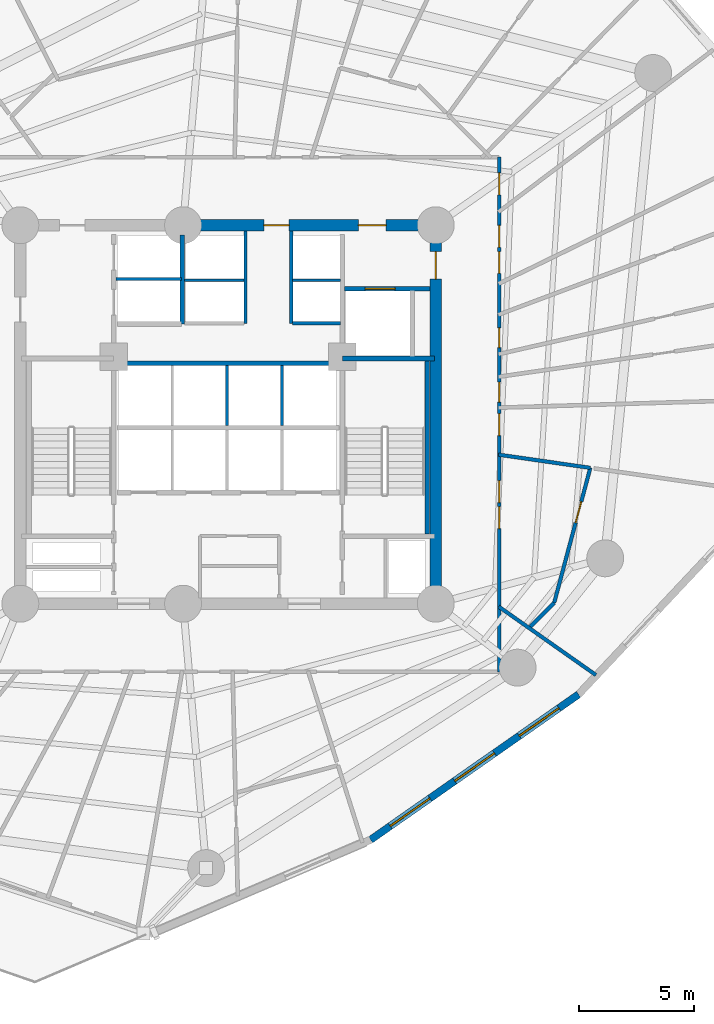
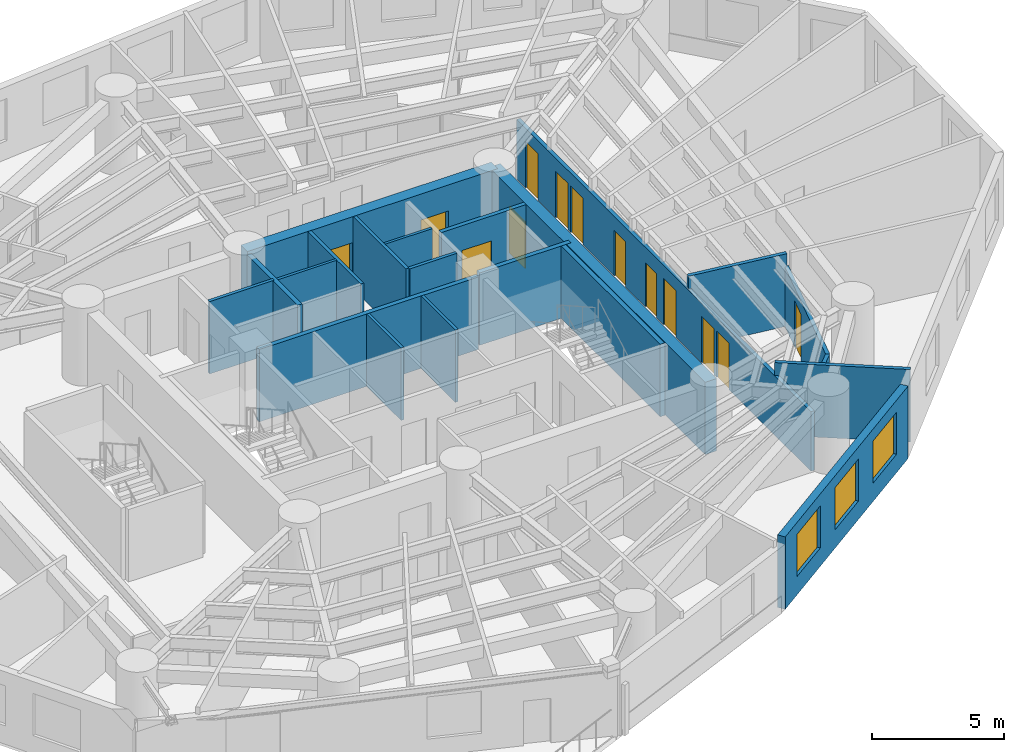
# One storey, part 5 of 11: 21 walls, 13 doors, 3 windows, 16 openings.
"""IFC4 building model written with IfcOpenShell, lengths in metres."""

import ifcopenshell
import ifcopenshell.guid

model = None  # the IFC model being written
_history = None  # IfcOwnerHistory: only IFC2X3 demands one
_inside = {}  # id of a spatial element -> (the spatial element, [elements in it])
_under = {}  # id of a project, library or spatial element -> (it, [spatial elements below it])
_declared = {}  # id of a project -> (the project, [libraries it declares])
_typed = {}  # id of a type object -> (the type object, [elements of that type])
_made_of = {}  # id of a material, layer set ... -> (it, [elements and type objects made of it])


def new_model(schema):
    """Start an empty IFC model of exactly this schema.

    Asked for "IFC4X3", IfcOpenShell would pick the latest addendum, in which some entities
    have other attributes; the version numbers below select the first issue.
    IFC2X3 requires an IfcOwnerHistory on every rooted entity: one is made here for all.
    """
    global model, _history
    if schema == "IFC4X3":
        model = ifcopenshell.file(schema_version=(4, 3, 0, 0))
    else:
        model = ifcopenshell.file(schema=schema)
    _inside.clear()
    _under.clear()
    _declared.clear()
    _typed.clear()
    _made_of.clear()
    _history = None
    if model.schema == "IFC2X3":
        org = make("IfcOrganization", Name="unknown")
        user = make(
            "IfcPersonAndOrganization",
            ThePerson=make("IfcPerson", FamilyName="unknown"),
            TheOrganization=org,
        )
        app = make(
            "IfcApplication",
            ApplicationDeveloper=org,
            Version="unknown",
            ApplicationFullName="unknown",
            ApplicationIdentifier="unknown",
        )
        _history = make(
            "IfcOwnerHistory",
            OwningUser=user,
            OwningApplication=app,
            ChangeAction="ADDED",
            CreationDate=0,
        )
    return model


def make(cls, **values):
    """One entity of the class cls with the attributes given. An attribute that is None is left unset."""
    return model.create_entity(
        cls, **{name: value for name, value in values.items() if value is not None}
    )


def rooted(cls, **values):
    """An entity with a GlobalId (a new one), such as an element, a storey or a relation."""
    return make(cls, GlobalId=ifcopenshell.guid.new(), OwnerHistory=_history, **values)


def si_unit(unit_type, name, prefix=None):
    """IfcSIUnit, for example si_unit("LENGTHUNIT", "METRE", prefix="MILLI")."""
    return make("IfcSIUnit", UnitType=unit_type, Prefix=prefix, Name=name)


def assignment(units):
    """IfcUnitAssignment: the units of a project."""
    return None if units is None else make("IfcUnitAssignment", Units=units)


def point(xyz):
    """IfcCartesianPoint."""
    return None if xyz is None else make("IfcCartesianPoint", Coordinates=xyz)


def direction(xyz):
    """IfcDirection."""
    return None if xyz is None else make("IfcDirection", DirectionRatios=xyz)


def frame(location, z_axis=None, x_axis=None):
    """IfcAxis2Placement3D, a coordinate frame: its origin and axes. An axis left out is left unset."""
    return make(
        "IfcAxis2Placement3D",
        Location=point(location),
        Axis=direction(z_axis),
        RefDirection=direction(x_axis),
    )


def frame_2d(location, x_axis=None):
    """IfcAxis2Placement2D, a coordinate frame in the plane: its origin and x axis."""
    return make(
        "IfcAxis2Placement2D", Location=point(location), RefDirection=direction(x_axis)
    )


def origin():
    """The frame at (0, 0, 0) with its axes left unset."""
    return frame((0.0, 0.0, 0.0))


def origin_with_axes():
    """The frame at (0, 0, 0) with the z axis (0, 0, 1) and the x axis (1, 0, 0) written out."""
    return frame((0.0, 0.0, 0.0), z_axis=(0.0, 0.0, 1.0), x_axis=(1.0, 0.0, 0.0))


def place(relative_to, where):
    """IfcLocalPlacement: puts the frame where relative to a parent placement (None: the world)."""
    return make(
        "IfcLocalPlacement", PlacementRelTo=relative_to, RelativePlacement=where
    )


def context(
    kind, dimensions, precision=None, world=None, true_north=None, identifier=None
):
    """IfcGeometricRepresentationContext, for example the 3D "Model" context."""
    return make(
        "IfcGeometricRepresentationContext",
        ContextIdentifier=identifier,
        ContextType=kind,
        CoordinateSpaceDimension=dimensions,
        Precision=precision,
        WorldCoordinateSystem=world,
        TrueNorth=true_north,
    )


def subcontext(parent, identifier, kind, view, scale=None):
    """IfcGeometricRepresentationSubContext, for example "Body" below "Model"."""
    return make(
        "IfcGeometricRepresentationSubContext",
        ContextIdentifier=identifier,
        ContextType=kind,
        ParentContext=parent,
        TargetScale=scale,
        TargetView=view,
    )


def project(units=None, contexts=None):
    """IfcProject with its units and contexts."""
    return rooted(
        "IfcProject",
        Name="project",
        RepresentationContexts=contexts,
        UnitsInContext=assignment(units),
    )


def spatial(cls, under=None, at=None, **own):
    """A site, building, storey or space (cls), placed at a placement, below another one or the project."""
    s = rooted(cls, ObjectPlacement=at, **own)
    if under is not None:
        _under.setdefault(under.id(), (under, []))[1].append(s)
    return s


def profile(cls, at=None, kind="AREA", **sizes):
    """A parametric profile (cls). Its sizes go by their IFC names, for example OverallWidth=200.0."""
    return make(cls, ProfileType=kind, Position=at, **sizes)


def rectangle(**sizes):
    """IfcRectangleProfileDef."""
    return profile("IfcRectangleProfileDef", **sizes)


def extrude(swept, where, along, depth):
    """IfcExtrudedAreaSolid: the profile swept, set in the frame where, extruded along a direction by depth."""
    return make(
        "IfcExtrudedAreaSolid",
        SweptArea=swept,
        Position=where,
        ExtrudedDirection=direction(along),
        Depth=depth,
    )


def shape(context_of_items, identifier, shape_type, items):
    """IfcShapeRepresentation: the items that make up one representation, for example the "Body"."""
    return make(
        "IfcShapeRepresentation",
        ContextOfItems=context_of_items,
        RepresentationIdentifier=identifier,
        RepresentationType=shape_type,
        Items=items,
    )


def source(mapping_origin, context_of_items, identifier, shape_type, items):
    """IfcRepresentationMap: a shape defined once, which mapped items show again and again."""
    return make(
        "IfcRepresentationMap",
        MappingOrigin=mapping_origin,
        MappedRepresentation=shape(context_of_items, identifier, shape_type, items),
    )


def transform(
    local_origin,
    x_axis=None,
    y_axis=None,
    z_axis=None,
    scale=None,
    scale2=None,
    scale3=None,
    uniform=True,
):
    """IfcCartesianTransformationOperator3D, or its non-uniform kind. x_axis, y_axis, z_axis: its Axis1, 2, 3."""
    if uniform:
        return make(
            "IfcCartesianTransformationOperator3D",
            Axis1=direction(x_axis),
            Axis2=direction(y_axis),
            LocalOrigin=point(local_origin),
            Scale=scale,
            Axis3=direction(z_axis),
        )
    return make(
        "IfcCartesianTransformationOperator3DnonUniform",
        Axis1=direction(x_axis),
        Axis2=direction(y_axis),
        LocalOrigin=point(local_origin),
        Scale=scale,
        Axis3=direction(z_axis),
        Scale2=scale2,
        Scale3=scale3,
    )


def mapped(mapping_source, mapping_target):
    """IfcMappedItem: shows the shape of a source again, moved by a transform."""
    return make(
        "IfcMappedItem", MappingSource=mapping_source, MappingTarget=mapping_target
    )


def material(Name=None, Category=None):
    """IfcMaterial."""
    return make("IfcMaterial", Name=Name, Category=Category)


def layer(
    of_material, thickness, ventilated=None, Name=None, Category=None, Priority=None
):
    """IfcMaterialLayer: one layer of a wall or slab, of a material (None: an air gap)."""
    return make(
        "IfcMaterialLayer",
        Material=of_material,
        LayerThickness=thickness,
        IsVentilated=ventilated,
        Name=Name,
        Category=Category,
        Priority=Priority,
    )


def layer_set(layers, Name=None):
    """IfcMaterialLayerSet."""
    return make("IfcMaterialLayerSet", MaterialLayers=layers, LayerSetName=Name)


def made_of(thing, what):
    """Note that an element or type object is made of a material, layer set ...; save() writes the relation."""
    if what is not None:
        _made_of.setdefault(what.id(), (what, []))[1].append(thing)
    return thing


def type_object(cls, material=None, **own):
    """A type object (cls), such as IfcWallType, which elements share."""
    return made_of(rooted(cls, **own), material)


def element(
    cls,
    number,
    at=None,
    inside=None,
    cuts=None,
    type_object=None,
    material=None,
    context=None,
    identifier="Body",
    shape_type=None,
    held_by="IfcProductDefinitionShape",
    body=None,
    shapes=None,
    **own,
):
    """One element of the class cls, such as IfcWall. Its Tag is "e" and its number.

    at: its placement. inside: the storey or other place that contains it. cuts: it is an
    opening in that element (IfcRelVoidsElement). A single representation is given by context,
    identifier, shape_type and body (its items); several are given by shapes. held_by: the class
    of the entity that holds the representations. save() writes the other relations.
    """
    e = rooted(cls, Tag="e%d" % number, ObjectPlacement=at, **own)
    if body is not None:
        shapes = [shape(context, identifier, shape_type, body)]
    if shapes is not None:
        e.Representation = make(held_by, Representations=shapes)
    if inside is not None:
        _inside.setdefault(inside.id(), (inside, []))[1].append(e)
    if cuts is not None:
        rooted(
            "IfcRelVoidsElement", RelatingBuildingElement=cuts, RelatedOpeningElement=e
        )
    if type_object is not None:
        _typed.setdefault(type_object.id(), (type_object, []))[1].append(e)
    return made_of(e, material)


def fill(opening, filler):
    """IfcRelFillsElement: the door or window that sits in an opening."""
    return rooted(
        "IfcRelFillsElement",
        RelatingOpeningElement=opening,
        RelatedBuildingElement=filler,
    )


def aggregate(whole, parts):
    """IfcRelAggregates: a whole, such as a stair, and the parts it consists of."""
    return rooted("IfcRelAggregates", RelatingObject=whole, RelatedObjects=parts)


def save(model, path):
    """Write the relations noted so far, then the file.

    IfcRelAggregates (storeys below a building ...), IfcRelContainedInSpatialStructure (elements
    in a storey), IfcRelDefinesByType, IfcRelAssociatesMaterial and IfcRelDeclares: one each for
    every whole, place, type object, material and project.
    """
    for whole, parts in _under.values():
        aggregate(whole, parts)
    for where, things in _inside.values():
        rooted(
            "IfcRelContainedInSpatialStructure",
            RelatedElements=things,
            RelatingStructure=where,
        )
    for kind, things in _typed.values():
        rooted("IfcRelDefinesByType", RelatedObjects=things, RelatingType=kind)
    for what, things in _made_of.values():
        rooted("IfcRelAssociatesMaterial", RelatedObjects=things, RelatingMaterial=what)
    for by, libraries in _declared.values():
        rooted("IfcRelDeclares", RelatingContext=by, RelatedDefinitions=libraries)
    model.write(path)


model = new_model("IFC4")

# Units and contexts
model_context = context("Model", 3, precision=1e-05, world=origin(), true_north=direction((0.0, 1.0)))
body_context = subcontext(model_context, "Body", "Model", "MODEL_VIEW")
ifc_project = project(units=[si_unit("LENGTHUNIT", "METRE"), si_unit("AREAUNIT", "SQUARE_METRE"), si_unit("VOLUMEUNIT", "CUBIC_METRE"), si_unit("PLANEANGLEUNIT", "RADIAN"), si_unit("MASSUNIT", "GRAM", prefix="KILO")], contexts=[model_context])

# Site, building, storey
site_placement = place(None, origin())
site = spatial("IfcSite", under=ifc_project, at=site_placement, CompositionType="ELEMENT")
building_placement = place(site_placement, origin())
building = spatial("IfcBuilding", under=site, at=building_placement, Name="Karkom Vertical University and Central Library", CompositionType="ELEMENT")
storey_placement = place(building_placement, frame((0.0, 0.0, 44.5)))
storey = spatial("IfcBuildingStorey", under=building, at=storey_placement, Name="L11", CompositionType="ELEMENT", Elevation=44.5)

# Wall, openings, windows
ifc_material_1 = material(Name="Brick-faced precast concrete C45/55", Category="masonry")
ifc_layer_1 = layer(ifc_material_1, 0.320068359375)
ifc_layer_set_1 = layer_set([ifc_layer_1], Name="Brick-faced precast concrete C45/55")
wall_type_1 = type_object("IfcWallType", Name="ENV-WL-BRK-320", PredefinedType="SOLIDWALL", material=ifc_layer_set_1)
wall_1_placement = place(storey_placement, frame((34.676025390625, 8.0693359375, 0.0), z_axis=(0.0, 0.0, 1.0), x_axis=(0.81955194261, 0.573004898203, 0.0)))
wall_1 = element("IfcWall", 1, at=wall_1_placement, inside=storey, type_object=wall_type_1, Name="Level 11 Brick-Faced Precast Facade Wall 06", PredefinedType="SOLIDWALL", context=body_context, shape_type="SweptSolid", body=[
    extrude(rectangle(XDim=10.99853515625, YDim=0.320068359375, at=frame_2d((5.499267578125, 0.0))), origin(), (0.0, 0.0, 1.0), 3.35009765625),
])
opening_1_placement = place(wall_1_placement, frame((1.036376953125, 0.0, 0.85009765625)))
opening_1 = element("IfcOpeningElement", 2, at=opening_1_placement, cuts=wall_1, Name="Opening WN-03", PredefinedType="OPENING", context=body_context, shape_type="SweptSolid", body=[
    extrude(rectangle(XDim=2.10009765625, YDim=1.949951171875, at=frame_2d((1.050048828125, 0.97509765625))), frame((0.0, 0.169921875, 0.0), z_axis=(0.0, -1.0, 0.0), x_axis=(1.0, 0.0, 0.0)), (0.0, 0.0, 1.0), 0.340087890625),
])
opening_2_placement = place(wall_1_placement, frame((4.44921875, 0.0, 0.85009765625)))
opening_2 = element("IfcOpeningElement", 3, at=opening_2_placement, cuts=wall_1, Name="Opening WN-03", PredefinedType="OPENING", context=body_context, shape_type="SweptSolid", body=[
    extrude(rectangle(XDim=2.10009765625, YDim=1.949951171875, at=frame_2d((1.050048828125, 0.97509765625))), frame((0.0, 0.169921875, 0.0), z_axis=(0.0, -1.0, 0.0), x_axis=(1.0, 0.0, 0.0)), (0.0, 0.0, 1.0), 0.340087890625),
])
opening_3_placement = place(wall_1_placement, frame((7.862060546875, 0.0, 0.85009765625)))
opening_3 = element("IfcOpeningElement", 4, at=opening_3_placement, cuts=wall_1, Name="Opening WN-03", PredefinedType="OPENING", context=body_context, shape_type="SweptSolid", body=[
    extrude(rectangle(XDim=2.10009765625, YDim=1.949951171875, at=frame_2d((1.050048828125, 0.97509765625))), frame((0.0, 0.169921875, 0.0), z_axis=(0.0, -1.0, 0.0), x_axis=(1.0, 0.0, 0.0)), (0.0, 0.0, 1.0), 0.340087890625),
])
ifc_material_2 = material(Name="Aluminium thermal-break frame with solar-control IGU", Category="aluminium")
window_type = type_object("IfcWindowType", Name="ENV-WIN-WN-03", PartitioningType="SINGLE_PANEL", PredefinedType="WINDOW", material=ifc_material_2)
shared_shape_1 = source(origin_with_axes(), body_context, "Body", "SweptSolid", [
    extrude(rectangle(XDim=2.10009765625, YDim=1.949951171875, at=frame_2d((1.050048828125, 0.97509765625))), frame((0.0, 0.030029296875, 0.0), z_axis=(0.0, -1.0, 0.0), x_axis=(1.0, 0.0, 0.0)), (0.0, 0.0, 1.0), 0.06005859375),
])
window_1_placement = place(opening_1_placement, origin())
window_1 = element("IfcWindow", 5, at=window_1_placement, inside=storey, type_object=window_type, Name="Level 11 Punched Window 6.1", OverallHeight=1.949951171875, OverallWidth=2.10009765625, PartitioningType="SINGLE_PANEL", PredefinedType="WINDOW", context=body_context, shape_type="MappedRepresentation", body=[
    mapped(shared_shape_1, transform((0.0, 0.0, 0.0), scale=1.0)),
])
fill(opening_1, window_1)
window_2_placement = place(opening_2_placement, origin())
window_2 = element("IfcWindow", 6, at=window_2_placement, inside=storey, type_object=window_type, Name="Level 11 Punched Window 6.2", OverallHeight=1.949951171875, OverallWidth=2.10009765625, PartitioningType="SINGLE_PANEL", PredefinedType="WINDOW", context=body_context, shape_type="MappedRepresentation", body=[
    mapped(shared_shape_1, transform((0.0, 0.0, 0.0), scale=1.0)),
])
fill(opening_2, window_2)
window_3_placement = place(opening_3_placement, origin())
window_3 = element("IfcWindow", 7, at=window_3_placement, inside=storey, type_object=window_type, Name="Level 11 Punched Window 6.3", OverallHeight=1.949951171875, OverallWidth=2.10009765625, PartitioningType="SINGLE_PANEL", PredefinedType="WINDOW", context=body_context, shape_type="MappedRepresentation", body=[
    mapped(shared_shape_1, transform((0.0, 0.0, 0.0), scale=1.0)),
])
fill(opening_3, window_3)

# Wall, openings, doors
ifc_material_3 = material(Name="Insulated metal-stud drywall 160mm", Category="gypsum")
ifc_layer_2 = layer(ifc_material_3, 0.159912109375)
ifc_layer_set_2 = layer_set([ifc_layer_2], Name="Insulated metal-stud drywall 160mm")
wall_type_2 = type_object("IfcWallType", Name="INT-WL-COR-160", PredefinedType="PARTITIONING", material=ifc_layer_set_2)
wall_2_placement = place(storey_placement, frame((40.25, 37.64990234375, 0.0), z_axis=(0.0, 0.0, 1.0), x_axis=(0.0, -1.0, 0.0)))
wall_2 = element("IfcWall", 8, at=wall_2_placement, inside=storey, type_object=wall_type_2, Name="Level 11 Interior Partition Wall L11-CORW-CW-004", PredefinedType="PARTITIONING", context=body_context, shape_type="SweptSolid", body=[
    extrude(rectangle(XDim=22.2998046875, YDim=0.159912109375, at=frame_2d((11.14990234375, 0.0))), origin(), (0.0, 0.0, 1.0), 2.75),
])
opening_4_placement = place(wall_2_placement, frame((14.02001953125, 0.0, 0.0)))
opening_4 = element("IfcOpeningElement", 9, at=opening_4_placement, cuts=wall_2, Name="Opening D-RM1", PredefinedType="OPENING", context=body_context, shape_type="SweptSolid", body=[
    extrude(rectangle(XDim=0.949951171875, YDim=2.14990234375, at=frame_2d((0.47509765625, 1.074951171875))), frame((0.0, 0.08984375, 0.0), z_axis=(0.0, -1.0, 0.0), x_axis=(1.0, 0.0, 0.0)), (0.0, 0.0, 1.0), 0.179931640625),
])
opening_5_placement = place(wall_2_placement, frame((11.114990234375, 0.0, 0.0)))
opening_5 = element("IfcOpeningElement", 10, at=opening_5_placement, cuts=wall_2, Name="Opening D-RM1", PredefinedType="OPENING", context=body_context, shape_type="SweptSolid", body=[
    extrude(rectangle(XDim=0.949951171875, YDim=2.14990234375, at=frame_2d((0.47509765625, 1.074951171875))), frame((0.0, 0.08984375, 0.0), z_axis=(0.0, -1.0, 0.0), x_axis=(1.0, 0.0, 0.0)), (0.0, 0.0, 1.0), 0.179931640625),
])
opening_6_placement = place(wall_2_placement, frame((7.397216796875, 0.0, 0.0)))
opening_6 = element("IfcOpeningElement", 11, at=opening_6_placement, cuts=wall_2, Name="Opening D-BATH", PredefinedType="OPENING", context=body_context, shape_type="SweptSolid", body=[
    extrude(rectangle(XDim=0.860107421875, YDim=2.10009765625, at=frame_2d((0.43017578125, 1.050048828125))), frame((0.0, 0.08984375, 0.0), z_axis=(0.0, -1.0, 0.0), x_axis=(1.0, 0.0, 0.0)), (0.0, 0.0, 1.0), 0.179931640625),
])
opening_7_placement = place(wall_2_placement, frame((4.090087890625, 0.0, 0.0)))
opening_7 = element("IfcOpeningElement", 12, at=opening_7_placement, cuts=wall_2, Name="Opening D-RM1", PredefinedType="OPENING", context=body_context, shape_type="SweptSolid", body=[
    extrude(rectangle(XDim=0.949951171875, YDim=2.14990234375, at=frame_2d((0.47509765625, 1.074951171875))), frame((0.0, 0.08984375, 0.0), z_axis=(0.0, -1.0, 0.0), x_axis=(1.0, 0.0, 0.0)), (0.0, 0.0, 1.0), 0.179931640625),
])
opening_8_placement = place(wall_2_placement, frame((2.9599609375, 0.0, 0.0)))
opening_8 = element("IfcOpeningElement", 13, at=opening_8_placement, cuts=wall_2, Name="Opening D-RM1", PredefinedType="OPENING", context=body_context, shape_type="SweptSolid", body=[
    extrude(rectangle(XDim=0.949951171875, YDim=2.14990234375, at=frame_2d((0.47509765625, 1.074951171875))), frame((0.0, 0.08984375, 0.0), z_axis=(0.0, -1.0, 0.0), x_axis=(1.0, 0.0, 0.0)), (0.0, 0.0, 1.0), 0.179931640625),
])
opening_9_placement = place(wall_2_placement, frame((0.68115234375, 0.0, 0.0)))
opening_9 = element("IfcOpeningElement", 14, at=opening_9_placement, cuts=wall_2, Name="Opening D-RM1", PredefinedType="OPENING", context=body_context, shape_type="SweptSolid", body=[
    extrude(rectangle(XDim=0.949951171875, YDim=2.14990234375, at=frame_2d((0.47509765625, 1.074951171875))), frame((0.0, 0.08984375, 0.0), z_axis=(0.0, -1.0, 0.0), x_axis=(1.0, 0.0, 0.0)), (0.0, 0.0, 1.0), 0.179931640625),
])
opening_10_placement = place(wall_2_placement, frame((15.145263671875, 0.0, 0.0)))
opening_10 = element("IfcOpeningElement", 15, at=opening_10_placement, cuts=wall_2, Name="Opening D-RM1", PredefinedType="OPENING", context=body_context, shape_type="SweptSolid", body=[
    extrude(rectangle(XDim=0.949951171875, YDim=2.14990234375, at=frame_2d((0.47509765625, 1.074951171875))), frame((0.0, 0.08984375, 0.0), z_axis=(0.0, -1.0, 0.0), x_axis=(1.0, 0.0, 0.0)), (0.0, 0.0, 1.0), 0.179931640625),
])
opening_11_placement = place(wall_2_placement, frame((9.751708984375, 0.0, 0.0)))
opening_11 = element("IfcOpeningElement", 16, at=opening_11_placement, cuts=wall_2, Name="Opening FD-BTH2", PredefinedType="OPENING", context=body_context, shape_type="SweptSolid", body=[
    extrude(rectangle(XDim=0.860107421875, YDim=2.0400390625, at=frame_2d((0.43017578125, 1.02001953125))), frame((0.0, 0.08984375, 0.0), z_axis=(0.0, -1.0, 0.0), x_axis=(1.0, 0.0, 0.0)), (0.0, 0.0, 1.0), 0.179931640625),
])
ifc_material_4 = material(Name="Fire-rated moisture-resistant oak door", Category="wood")
door_type_1 = type_object("IfcDoorType", Name="INT-DR-FBTH2", OperationType="NOTDEFINED", PredefinedType="DOOR", material=ifc_material_4)
shared_shape_2 = source(origin_with_axes(), body_context, "Body", "SweptSolid", [
    extrude(rectangle(XDim=0.860107421875, YDim=2.0400390625, at=frame_2d((0.43017578125, 1.02001953125))), frame((0.0, 0.02490234375, 0.0), z_axis=(0.0, -1.0, 0.0), x_axis=(1.0, 0.0, 0.0)), (0.0, 0.0, 1.0), 0.050048828125),
])
door_1_placement = place(opening_11_placement, origin())
door_1 = element("IfcDoor", 17, at=door_1_placement, inside=storey, type_object=door_type_1, Name="Level 11 Departmental Reference Reading Library Entry Door", OperationType="SINGLE_SWING_LEFT", OverallHeight=2.0400390625, OverallWidth=0.860107421875, PredefinedType="DOOR", context=body_context, shape_type="MappedRepresentation", body=[
    mapped(shared_shape_2, transform((0.0, 0.0, 0.0), scale=1.0)),
])
fill(opening_11, door_1)
ifc_material_5 = material(Name="Moisture-resistant oak door", Category="wood")
door_type_2 = type_object("IfcDoorType", Name="INT-DR-BATH", OperationType="NOTDEFINED", PredefinedType="DOOR", material=ifc_material_5)
shared_shape_3 = source(origin_with_axes(), body_context, "Body", "SweptSolid", [
    extrude(rectangle(XDim=0.860107421875, YDim=2.10009765625, at=frame_2d((0.43017578125, 1.050048828125))), frame((0.0, 0.02490234375, 0.0), z_axis=(0.0, -1.0, 0.0), x_axis=(1.0, 0.0, 0.0)), (0.0, 0.0, 1.0), 0.050048828125),
])
door_2_placement = place(opening_6_placement, origin())
door_2 = element("IfcDoor", 18, at=door_2_placement, inside=storey, type_object=door_type_2, Name="Level 11 Room Entry Door 140", OperationType="SINGLE_SWING_LEFT", OverallHeight=2.10009765625, OverallWidth=0.860107421875, PredefinedType="DOOR", context=body_context, shape_type="MappedRepresentation", body=[
    mapped(shared_shape_3, transform((0.0, 0.0, 0.0), scale=1.0)),
])
fill(opening_6, door_2)
ifc_material_6 = material(Name="Solid-core oak veneer door", Category="wood")
door_type_3 = type_object("IfcDoorType", Name="INT-DR-RM1", OperationType="NOTDEFINED", PredefinedType="DOOR", material=ifc_material_6)
shared_shape_4 = source(origin_with_axes(), body_context, "Body", "SweptSolid", [
    extrude(rectangle(XDim=0.949951171875, YDim=2.14990234375, at=frame_2d((0.47509765625, 1.074951171875))), frame((0.0, 0.02490234375, 0.0), z_axis=(0.0, -1.0, 0.0), x_axis=(1.0, 0.0, 0.0)), (0.0, 0.0, 1.0), 0.050048828125),
])
door_3_placement = place(opening_4_placement, origin())
door_3 = element("IfcDoor", 19, at=door_3_placement, inside=storey, type_object=door_type_3, Name="Level 11 Room Entry Door 110", OperationType="SINGLE_SWING_LEFT", OverallHeight=2.14990234375, OverallWidth=0.949951171875, PredefinedType="DOOR", context=body_context, shape_type="MappedRepresentation", body=[
    mapped(shared_shape_4, transform((0.0, 0.0, 0.0), scale=1.0)),
])
fill(opening_4, door_3)
door_4_placement = place(opening_5_placement, origin())
door_4 = element("IfcDoor", 20, at=door_4_placement, inside=storey, type_object=door_type_3, Name="Level 11 Room Entry Door 130", OperationType="SINGLE_SWING_RIGHT", OverallHeight=2.14990234375, OverallWidth=0.949951171875, PredefinedType="DOOR", context=body_context, shape_type="MappedRepresentation", body=[
    mapped(shared_shape_4, transform((0.0, 0.0, 0.0), scale=1.0)),
])
fill(opening_5, door_4)
door_5_placement = place(opening_7_placement, origin())
door_5 = element("IfcDoor", 21, at=door_5_placement, inside=storey, type_object=door_type_3, Name="Level 11 Room Entry Door 160", OperationType="SINGLE_SWING_RIGHT", OverallHeight=2.14990234375, OverallWidth=0.949951171875, PredefinedType="DOOR", context=body_context, shape_type="MappedRepresentation", body=[
    mapped(shared_shape_4, transform((0.0, 0.0, 0.0), scale=1.0)),
])
fill(opening_7, door_5)
door_6_placement = place(opening_8_placement, origin())
door_6 = element("IfcDoor", 22, at=door_6_placement, inside=storey, type_object=door_type_3, Name="Level 11 Room Entry Door 170", OperationType="SINGLE_SWING_LEFT", OverallHeight=2.14990234375, OverallWidth=0.949951171875, PredefinedType="DOOR", context=body_context, shape_type="MappedRepresentation", body=[
    mapped(shared_shape_4, transform((0.0, 0.0, 0.0), scale=1.0)),
])
fill(opening_8, door_6)
door_7_placement = place(opening_9_placement, origin())
door_7 = element("IfcDoor", 23, at=door_7_placement, inside=storey, type_object=door_type_3, Name="Level 11 Room Entry Door 180", OperationType="SINGLE_SWING_RIGHT", OverallHeight=2.14990234375, OverallWidth=0.949951171875, PredefinedType="DOOR", context=body_context, shape_type="MappedRepresentation", body=[
    mapped(shared_shape_4, transform((0.0, 0.0, 0.0), scale=1.0)),
])
fill(opening_9, door_7)
door_8_placement = place(opening_10_placement, origin())
door_8 = element("IfcDoor", 24, at=door_8_placement, inside=storey, type_object=door_type_3, Name="Level 11 Room Entry Door 190", OperationType="SINGLE_SWING_LEFT", OverallHeight=2.14990234375, OverallWidth=0.949951171875, PredefinedType="DOOR", context=body_context, shape_type="MappedRepresentation", body=[
    mapped(shared_shape_4, transform((0.0, 0.0, 0.0), scale=1.0)),
])
fill(opening_10, door_8)

# Wall, opening, door
wall_3_placement = place(storey_placement, frame((44.197265625, 24.1865234375, 0.0), z_axis=(0.0, 0.0, 1.0), x_axis=(-0.258810027393, -0.965928242532, 0.0)))
wall_3 = element("IfcWall", 25, at=wall_3_placement, inside=storey, type_object=wall_type_2, Name="Level 11 Interior Partition Wall L11-PW-014", PredefinedType="PARTITIONING", context=body_context, shape_type="SweptSolid", body=[
    extrude(rectangle(XDim=6.051513671875, YDim=0.159912109375, at=frame_2d((3.02587890625, 0.0))), origin(), (0.0, 0.0, 1.0), 2.75),
])
opening_12_placement = place(wall_3_placement, frame((1.5107421875, 0.0, 0.0)))
opening_12 = element("IfcOpeningElement", 26, at=opening_12_placement, cuts=wall_3, Name="Opening D-RM1", PredefinedType="OPENING", context=body_context, shape_type="SweptSolid", body=[
    extrude(rectangle(XDim=0.949951171875, YDim=2.14990234375, at=frame_2d((0.47509765625, 1.074951171875))), frame((0.0, 0.08984375, 0.0), z_axis=(0.0, -1.0, 0.0), x_axis=(1.0, 0.0, 0.0)), (0.0, 0.0, 1.0), 0.179931640625),
])
door_9_placement = place(opening_12_placement, origin())
door_9 = element("IfcDoor", 27, at=door_9_placement, inside=storey, type_object=door_type_3, Name="Level 11 Room Entry Door 120", OperationType="SINGLE_SWING_RIGHT", OverallHeight=2.14990234375, OverallWidth=0.949951171875, PredefinedType="DOOR", context=body_context, shape_type="MappedRepresentation", body=[
    mapped(shared_shape_4, transform((0.0, 0.0, 0.0), scale=1.0)),
])
fill(opening_12, door_9)

# Walls
wall_4_placement = place(storey_placement, frame((40.2255859375, 18.175537109375, 0.0), z_axis=(0.0, 0.0, 1.0), x_axis=(0.817812197712, -0.575485194661, 0.0)))
element("IfcWall", 28, at=wall_4_placement, inside=storey, type_object=wall_type_2, Name="Level 11 Interior Partition Wall L11-PW-013", PredefinedType="PARTITIONING", context=body_context, shape_type="SweptSolid", body=[
    extrude(rectangle(XDim=5.1552734375, YDim=0.159912109375, at=frame_2d((2.57763671875, 0.0))), origin(), (0.0, 0.0, 1.0), 3.35009765625),
])
wall_5_placement = place(storey_placement, frame((40.22021484375, 24.75732421875, 0.0), z_axis=(0.0, 0.0, 1.0), x_axis=(0.989856920195, -0.142067862456, 0.0)))
element("IfcWall", 29, at=wall_5_placement, inside=storey, type_object=wall_type_2, Name="Level 11 Interior Partition Wall L11-PW-016", PredefinedType="PARTITIONING", context=body_context, shape_type="SweptSolid", body=[
    extrude(rectangle(XDim=4.017822265625, YDim=0.159912109375, at=frame_2d((2.0087890625, 0.0))), origin(), (0.0, 0.0, 1.0), 3.35009765625),
])
wall_6_placement = place(storey_placement, frame((42.631103515625, 18.34130859375, 0.0), z_axis=(0.0, 0.0, 1.0), x_axis=(-0.707190705793, -0.707022846618, 0.0)))
element("IfcWall", 30, at=wall_6_placement, inside=storey, type_object=wall_type_2, Name="Level 11 Interior Partition Wall L11-PW-015", PredefinedType="PARTITIONING", context=body_context, shape_type="SweptSolid", body=[
    extrude(rectangle(XDim=1.454345703125, YDim=0.159912109375, at=frame_2d((0.72705078125, 0.0))), origin(), (0.0, 0.0, 1.0), 2.75),
])
ifc_material_7 = material(Name="Moisture-resistant drywall 120mm", Category="gypsum")
ifc_layer_3 = layer(ifc_material_7, 0.1201171875)
ifc_layer_set_3 = layer_set([ifc_layer_3], Name="Moisture-resistant drywall 120mm")
wall_type_3 = type_object("IfcWallType", Name="INT-WL-INT-120H", PredefinedType="PARTITIONING", material=ifc_layer_set_3)
for number, where, z_axis, x_axis, name in (
    (31, (28.4599609375, 26.02001953125, 0.0), (0.0, 0.0, 1.0), (0.0, 1.0, 0.0), "Level 11 Interior Partition Wall L11-CW-PM-DIV2"),
    (32, (30.840087890625, 26.02001953125, 0.0), (0.0, 0.0, 1.0), (0.0, 1.0, 0.0), "Level 11 Interior Partition Wall L11-CW-PM-DIV3"),
):
    element("IfcWall", number, at=place(storey_placement, frame(where, z_axis=z_axis, x_axis=x_axis)), inside=storey, type_object=wall_type_3, Name=name, PredefinedType="PARTITIONING", context=body_context, shape_type="SweptSolid", body=[
        extrude(rectangle(XDim=2.60009765625, YDim=0.1201171875, at=frame_2d((1.300048828125, 0.0))), origin(), (0.0, 0.0, 1.0), 3.35009765625),
    ])
wall_7_placement = place(storey_placement, frame((26.6201171875, 32.320068359375, 0.0), z_axis=(0.0, 0.0, 1.0), x_axis=(1.0, 0.0, 0.0)))
element("IfcWall", 33, at=wall_7_placement, inside=storey, type_object=wall_type_3, Name="Level 11 Interior Partition Wall L11-CW-PH-MW", PredefinedType="PARTITIONING", context=body_context, shape_type="SweptSolid", body=[
    extrude(rectangle(XDim=2.579833984375, YDim=0.1201171875, at=frame_2d((1.2900390625, 0.0))), origin(), (0.0, 0.0, 1.0), 3.35009765625),
])
wall_8_placement = place(storey_placement, frame((31.300048828125, 32.320068359375, 0.0), z_axis=(0.0, 0.0, 1.0), x_axis=(1.0, 0.0, 0.0)))
element("IfcWall", 34, at=wall_8_placement, inside=storey, type_object=wall_type_3, Name="Level 11 Interior Partition Wall L11-CW-PH-ME", PredefinedType="PARTITIONING", context=body_context, shape_type="SweptSolid", body=[
    extrude(rectangle(XDim=2.074951171875, YDim=0.1201171875, at=frame_2d((1.03759765625, 0.0))), origin(), (0.0, 0.0, 1.0), 3.35009765625),
])
ifc_material_8 = material(Name="Metal-stud gypsum partition 140mm", Category="gypsum")
ifc_layer_4 = layer(ifc_material_8, 0.139892578125)
ifc_layer_set_4 = layer_set([ifc_layer_4], Name="Metal-stud gypsum partition 140mm")
wall_type_4 = type_object("IfcWallType", Name="INT-WL-SUB-140H", PredefinedType="PARTITIONING", material=ifc_layer_set_4)
for number, where, z_axis, x_axis, name in (
    (35, (29.260009765625, 30.449951171875, 0.0), (0.0, 0.0, 1.0), (0.0, 1.0, 0.0), "Level 11 Interior Partition Wall L11-CW-PH-W"),
    (36, (31.239990234375, 30.449951171875, 0.0), (0.0, 0.0, 1.0), (0.0, 1.0, 0.0), "Level 11 Interior Partition Wall L11-CW-PH-E"),
):
    element("IfcWall", number, at=place(storey_placement, frame(where, z_axis=z_axis, x_axis=x_axis)), inside=storey, type_object=wall_type_4, Name=name, PredefinedType="PARTITIONING", context=body_context, shape_type="SweptSolid", body=[
        extrude(rectangle(XDim=3.9931640625, YDim=0.139892578125, at=frame_2d((1.99658203125, 0.0))), origin(), (0.0, 0.0, 1.0), 3.35009765625),
    ])
wall_9_placement = place(storey_placement, frame((31.300048828125, 30.449951171875, 0.0), z_axis=(0.0, 0.0, 1.0), x_axis=(1.0, 0.0, 0.0)))
element("IfcWall", 37, at=wall_9_placement, inside=storey, type_object=wall_type_4, Name="Level 11 Interior Partition Wall L11-CW-PH-S2", PredefinedType="PARTITIONING", context=body_context, shape_type="SweptSolid", body=[
    extrude(rectangle(XDim=2.074951171875, YDim=0.139892578125, at=frame_2d((1.03759765625, 0.0))), origin(), (0.0, 0.0, 1.0), 3.35009765625),
])
ifc_layer_5 = layer(ifc_material_8, 0.139892578125)
ifc_layer_set_5 = layer_set([ifc_layer_5], Name="Metal-stud gypsum partition 140mm")
wall_type_5 = type_object("IfcWallType", Name="INT-WL-SUB-140X", PredefinedType="PARTITIONING", material=ifc_layer_set_5)
wall_10_placement = place(storey_placement, frame((23.652099609375, 32.3701171875, 0.0), z_axis=(0.0, 0.0, 1.0), x_axis=(1.0, 0.0, 0.0)))
element("IfcWall", 38, at=wall_10_placement, inside=storey, type_object=wall_type_5, Name="Level 11 Interior Partition Wall L11-CW-FFL-M", PredefinedType="PARTITIONING", context=body_context, shape_type="SweptSolid", body=[
    extrude(rectangle(XDim=2.827880859375, YDim=0.139892578125, at=frame_2d((1.4140625, 0.0))), origin(), (0.0, 0.0, 1.0), 3.35009765625),
])

# Wall, opening, door
ifc_material_9 = material(Name="Twin-stud acoustic drywall 180mm", Category="gypsum")
ifc_layer_6 = layer(ifc_material_9, 0.179931640625)
ifc_layer_set_6 = layer_set([ifc_layer_6], Name="Twin-stud acoustic drywall 180mm")
wall_type_6 = type_object("IfcWallType", Name="INT-WL-TEN-180F", PredefinedType="PARTITIONING", material=ifc_layer_set_6)
wall_11_placement = place(storey_placement, frame((33.534912109375, 31.949951171875, 0.0), z_axis=(0.0, 0.0, 1.0), x_axis=(1.0, 0.0, 0.0)))
wall_11 = element("IfcWall", 39, at=wall_11_placement, inside=storey, type_object=wall_type_6, Name="Level 11 Interior Partition Wall L11-CW-SVL-N", PredefinedType="PARTITIONING", context=body_context, shape_type="SweptSolid", body=[
    extrude(rectangle(XDim=3.708740234375, YDim=0.179931640625, at=frame_2d((1.8544921875, 0.0))), origin(), (0.0, 0.0, 1.0), 3.35009765625),
])
opening_13_placement = place(wall_11_placement, frame((0.89990234375, 0.0, 0.0)))
opening_13 = element("IfcOpeningElement", 40, at=opening_13_placement, cuts=wall_11, Name="Opening LD-SV1", PredefinedType="OPENING", context=body_context, shape_type="SweptSolid", body=[
    extrude(rectangle(XDim=1.300048828125, YDim=2.199951171875, at=frame_2d((0.64990234375, 1.10009765625))), frame((0.0, 0.10009765625, 0.0), z_axis=(0.0, -1.0, 0.0), x_axis=(1.0, 0.0, 0.0)), (0.0, 0.0, 1.0), 0.199951171875),
])
ifc_material_10 = material(Name="Brushed stainless-steel landing door", Category="steel")
door_type_4 = type_object("IfcDoorType", Name="INT-DR-LD-SV1", OperationType="SLIDING_TO_LEFT", PredefinedType="DOOR", material=ifc_material_10)
shared_shape_5 = source(origin_with_axes(), body_context, "Body", "SweptSolid", [
    extrude(rectangle(XDim=1.300048828125, YDim=2.199951171875, at=frame_2d((0.64990234375, 1.10009765625))), frame((0.0, 0.02490234375, 0.0), z_axis=(0.0, -1.0, 0.0), x_axis=(1.0, 0.0, 0.0)), (0.0, 0.0, 1.0), 0.050048828125),
])
door_10_placement = place(opening_13_placement, origin())
door_10 = element("IfcDoor", 41, at=door_10_placement, inside=storey, type_object=door_type_4, Name="Level 11 Service Lift Landing Door LD-SV1", OperationType="SLIDING_TO_LEFT", OverallHeight=2.199951171875, OverallWidth=1.300048828125, PredefinedType="DOOR", context=body_context, shape_type="MappedRepresentation", body=[
    mapped(shared_shape_5, transform((0.0, 0.0, 0.0), scale=1.0)),
])
fill(opening_13, door_10)

ifc_material_11 = material(Name="Concrete C50/60", Category="concrete")
ifc_layer_7 = layer(ifc_material_11, 0.5)
ifc_layer_set_7 = layer_set([ifc_layer_7], Name="Concrete C50/60")
wall_type_7 = type_object("IfcWallType", Name="STR-WL-CW-500", PredefinedType="SHEAR", material=ifc_layer_set_7)
wall_12_placement = place(storey_placement, frame((37.5, 18.300048828125, 0.0), z_axis=(0.0, 0.0, 1.0), x_axis=(0.0, 1.0, 0.0)))
wall_12 = element("IfcWall", 42, at=wall_12_placement, inside=storey, type_object=wall_type_7, Name="Level 11 Central Core Shear Wall EW", PredefinedType="SHEAR", context=body_context, shape_type="SweptSolid", body=[
    extrude(rectangle(XDim=16.39990234375, YDim=0.5, at=frame_2d((8.199951171875, 0.0))), origin(), (0.0, 0.0, 1.0), 3.35009765625),
])
opening_14_placement = place(wall_12_placement, frame((14.06005859375, 0.0, 0.0)))
opening_14 = element("IfcOpeningElement", 43, at=opening_14_placement, cuts=wall_12, Name="Opening FD-SUB1", PredefinedType="OPENING", context=body_context, shape_type="SweptSolid", body=[
    extrude(rectangle(XDim=1.199951171875, YDim=2.14990234375, at=frame_2d((0.60009765625, 1.074951171875))), frame((0.0, 0.260009765625, 0.0), z_axis=(0.0, -1.0, 0.0), x_axis=(1.0, 0.0, 0.0)), (0.0, 0.0, 1.0), 0.52001953125),
])
ifc_material_12 = material(Name="Painted steel fire door", Category="steel")
door_type_5 = type_object("IfcDoorType", Name="INT-DR-SUB1", OperationType="NOTDEFINED", PredefinedType="DOOR", material=ifc_material_12)
shared_shape_6 = source(origin_with_axes(), body_context, "Body", "SweptSolid", [
    extrude(rectangle(XDim=1.199951171875, YDim=2.14990234375, at=frame_2d((0.60009765625, 1.074951171875))), frame((0.0, 0.02490234375, 0.0), z_axis=(0.0, -1.0, 0.0), x_axis=(1.0, 0.0, 0.0)), (0.0, 0.0, 1.0), 0.050048828125),
])
door_11_placement = place(opening_14_placement, origin())
door_11 = element("IfcDoor", 44, at=door_11_placement, inside=storey, type_object=door_type_5, Name="Level 11 East Corridor Service Lobby Door", OperationType="SINGLE_SWING_RIGHT", OverallHeight=2.14990234375, OverallWidth=1.199951171875, PredefinedType="DOOR", context=body_context, shape_type="MappedRepresentation", body=[
    mapped(shared_shape_6, transform((0.0, 0.0, 0.0), scale=1.0)),
])
fill(opening_14, door_11)

# Wall, openings, doors
wall_13_placement = place(storey_placement, frame((37.5, 34.699951171875, 0.0), z_axis=(0.0, 0.0, 1.0), x_axis=(-1.0, 0.0, 0.0)))
wall_13 = element("IfcWall", 45, at=wall_13_placement, inside=storey, type_object=wall_type_7, Name="Level 11 Central Core Shear Wall NW1", PredefinedType="SHEAR", context=body_context, shape_type="SweptSolid", body=[
    extrude(rectangle(XDim=10.949951171875, YDim=0.5, at=frame_2d((5.47509765625, 0.0))), origin(), (0.0, 0.0, 1.0), 3.35009765625),
])
opening_15_placement = place(wall_13_placement, frame((2.14990234375, 0.0, 0.0)))
opening_15 = element("IfcOpeningElement", 46, at=opening_15_placement, cuts=wall_13, Name="Opening FD-SUB1", PredefinedType="OPENING", context=body_context, shape_type="SweptSolid", body=[
    extrude(rectangle(XDim=1.199951171875, YDim=2.14990234375, at=frame_2d((0.60009765625, 1.074951171875))), frame((0.0, 0.260009765625, 0.0), z_axis=(0.0, -1.0, 0.0), x_axis=(1.0, 0.0, 0.0)), (0.0, 0.0, 1.0), 0.52001953125),
])
opening_16_placement = place(wall_13_placement, frame((6.35009765625, 0.0, 0.0)))
opening_16 = element("IfcOpeningElement", 47, at=opening_16_placement, cuts=wall_13, Name="Opening FD-FFL", PredefinedType="OPENING", context=body_context, shape_type="SweptSolid", body=[
    extrude(rectangle(XDim=1.10009765625, YDim=2.14990234375, at=frame_2d((0.550048828125, 1.074951171875))), frame((0.0, 0.260009765625, 0.0), z_axis=(0.0, -1.0, 0.0), x_axis=(1.0, 0.0, 0.0)), (0.0, 0.0, 1.0), 0.52001953125),
])
ifc_material_13 = material(Name="Painted steel smoke-seal fire door", Category="steel")
door_type_6 = type_object("IfcDoorType", Name="INT-DR-FFL", OperationType="NOTDEFINED", PredefinedType="DOOR", material=ifc_material_13)
shared_shape_7 = source(origin_with_axes(), body_context, "Body", "SweptSolid", [
    extrude(rectangle(XDim=1.10009765625, YDim=2.14990234375, at=frame_2d((0.550048828125, 1.074951171875))), frame((0.0, 0.02490234375, 0.0), z_axis=(0.0, -1.0, 0.0), x_axis=(1.0, 0.0, 0.0)), (0.0, 0.0, 1.0), 0.050048828125),
])
door_12_placement = place(opening_16_placement, origin())
door_12 = element("IfcDoor", 48, at=door_12_placement, inside=storey, type_object=door_type_6, Name="Level 11 North Core Lobby Exit Door", OperationType="SINGLE_SWING_LEFT", OverallHeight=2.14990234375, OverallWidth=1.10009765625, PredefinedType="DOOR", context=body_context, shape_type="MappedRepresentation", body=[
    mapped(shared_shape_7, transform((0.0, 0.0, 0.0), scale=1.0)),
])
fill(opening_16, door_12)
door_13_placement = place(opening_15_placement, origin())
door_13 = element("IfcDoor", 49, at=door_13_placement, inside=storey, type_object=door_type_5, Name="Level 11 Service Lobby Fire Door", OperationType="SINGLE_SWING_LEFT", OverallHeight=2.14990234375, OverallWidth=1.199951171875, PredefinedType="DOOR", context=body_context, shape_type="MappedRepresentation", body=[
    mapped(shared_shape_6, transform((0.0, 0.0, 0.0), scale=1.0)),
])
fill(opening_15, door_13)

# Walls
ifc_material_14 = material(Name="Concrete C45/55", Category="concrete")
ifc_layer_8 = layer(ifc_material_14, 0.199951171875)
ifc_layer_set_8 = layer_set([ifc_layer_8], Name="Concrete C45/55")
wall_type_8 = type_object("IfcWallType", Name="STR-WL-ST-200", PredefinedType="SHEAR", material=ifc_layer_set_8)
wall_14_placement = place(storey_placement, frame((23.699951171875, 28.719970703125, 0.0), z_axis=(0.0, 0.0, 1.0), x_axis=(1.0, 0.0, 0.0)))
element("IfcWall", 50, at=wall_14_placement, inside=storey, type_object=wall_type_8, Name="Level 11 Core Shaft Wall L11-CW-B2-N", PredefinedType="SHEAR", context=body_context, shape_type="SweptSolid", body=[
    extrude(rectangle(XDim=9.60009765625, YDim=0.199951171875, at=frame_2d((4.800048828125, 0.0))), origin(), (0.0, 0.0, 1.0), 3.35009765625),
])
wall_15_placement = place(storey_placement, frame((37.125, 21.320068359375, 0.0), z_axis=(0.0, 0.0, 1.0), x_axis=(0.0, 1.0, 0.0)))
element("IfcWall", 51, at=wall_15_placement, inside=storey, type_object=wall_type_8, Name="Level 11 Core Shaft Wall L11-CW-ST2-E", PredefinedType="SHEAR", context=body_context, shape_type="SweptSolid", body=[
    extrude(rectangle(XDim=7.5, YDim=0.199951171875, at=frame_2d((3.75, 0.0))), origin(), (0.0, 0.0, 1.0), 3.35009765625),
])
wall_16_placement = place(storey_placement, frame((33.455078125, 28.925048828125, 0.0), z_axis=(0.0, 0.0, 1.0), x_axis=(1.0, 0.0, 0.0)))
element("IfcWall", 52, at=wall_16_placement, inside=storey, type_object=wall_type_8, Name="Level 11 Core Shaft Wall L11-CW-ST2-N", PredefinedType="SHEAR", context=body_context, shape_type="SweptSolid", body=[
    extrude(rectangle(XDim=3.994873046875, YDim=0.199951171875, at=frame_2d((1.99755859375, 0.0))), origin(), (0.0, 0.0, 1.0), 3.35009765625),
])
wall_17_placement = place(storey_placement, frame((26.52001953125, 30.419921875, 0.0), z_axis=(0.0, 0.0, 1.0), x_axis=(0.0, 1.0, 0.0)))
element("IfcWall", 53, at=wall_17_placement, inside=storey, type_object=wall_type_8, Name="Level 11 Core Shaft Wall L11-CW-FFL-E", PredefinedType="SHEAR", context=body_context, shape_type="SweptSolid", body=[
    extrude(rectangle(XDim=3.860107421875, YDim=0.199951171875, at=frame_2d((1.93017578125, 0.0))), origin(), (0.0, 0.0, 1.0), 3.35009765625),
])

save(model, "model.ifc")
